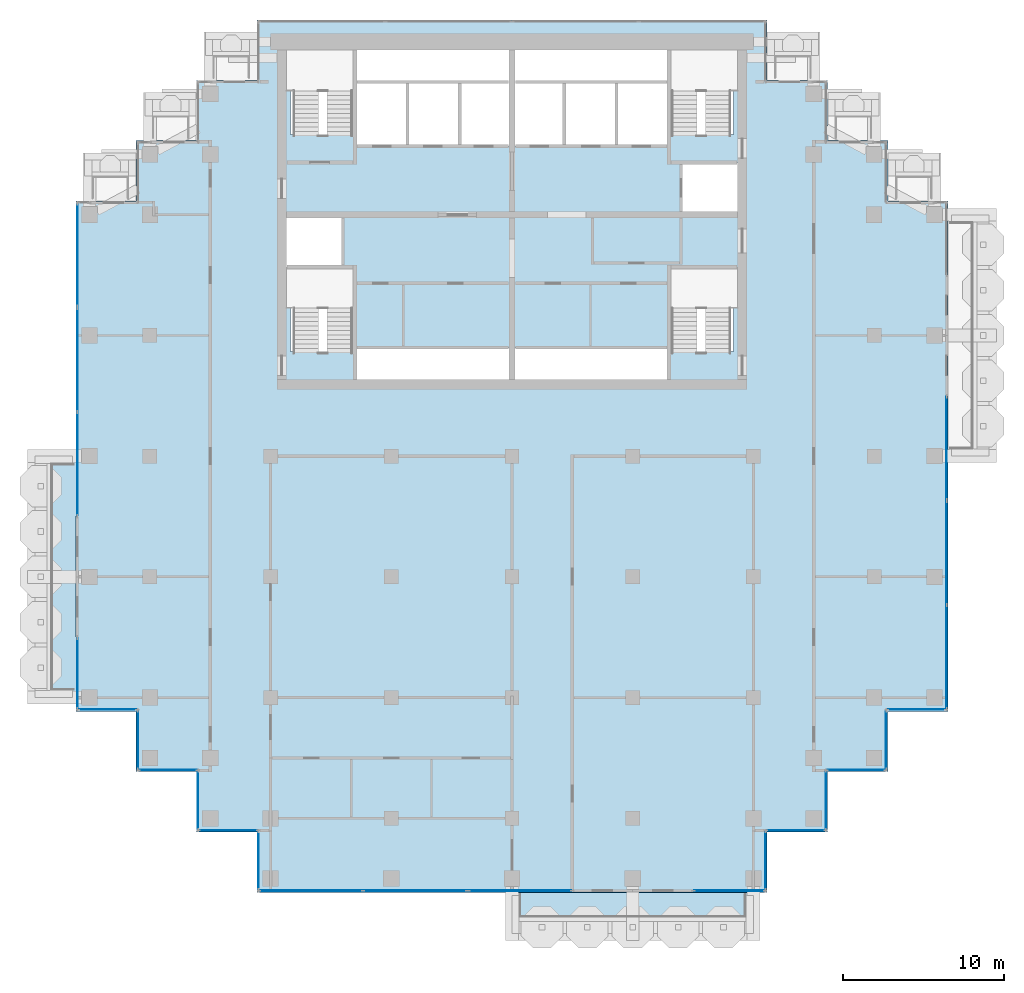
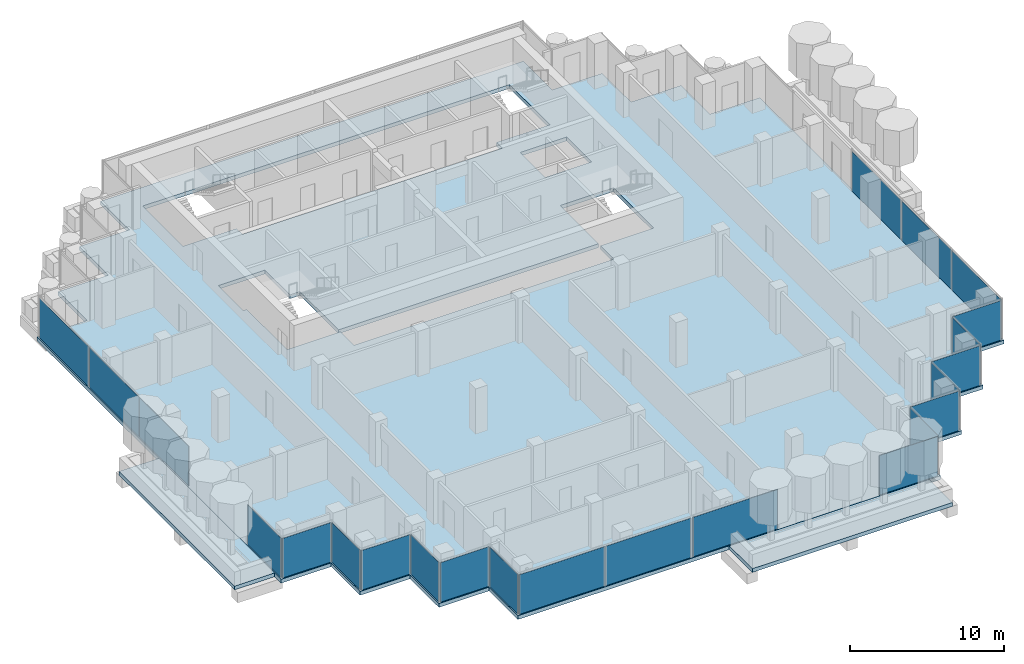
# One storey, part 8 of 18: 23 plates, 3 slabs, 20 elements without a shape of their own.
"""IFC4 building model written with IfcOpenShell, lengths in metres."""

from ifc_helpers import new_model, si_unit, direction, frame, origin, origin_2d, place, context, subcontext, project, spatial, polyline, rectangle, outline, extrude, material, layer, layer_set, type_object, element, aggregate, save


model = new_model("IFC4")

# Units and contexts
model_context = context("Model", 3, precision=1e-05, world=origin(), true_north=direction((0.0, 1.0)))
body_context = subcontext(model_context, "Body", "Model", "MODEL_VIEW")
ifc_project = project(units=[si_unit("LENGTHUNIT", "METRE"), si_unit("AREAUNIT", "SQUARE_METRE"), si_unit("VOLUMEUNIT", "CUBIC_METRE"), si_unit("PLANEANGLEUNIT", "RADIAN"), si_unit("MASSUNIT", "GRAM", prefix="KILO")], contexts=[model_context])

# Site, building, storey
site_placement = place(None, origin())
site = spatial("IfcSite", under=ifc_project, at=site_placement, CompositionType="ELEMENT")
building_placement = place(site_placement, origin())
building = spatial("IfcBuilding", under=site, at=building_placement, Name="Pilkhan Gate Tower", CompositionType="ELEMENT")
storey_placement = place(building_placement, frame((0.0, 0.0, 210.300048828125)))
storey = spatial("IfcBuildingStorey", under=building, at=storey_placement, Name="L54", CompositionType="ELEMENT", Elevation=210.300048828125)

# Slabs
ifc_material_1 = material(Name="Concrete C60/75", Category="concrete")
ifc_layer_1 = layer(ifc_material_1, 0.300048828125)
ifc_layer_set_1 = layer_set([ifc_layer_1], Name="Balcony tray slab TR300")
slab_type_1 = type_object("IfcSlabType", Name="Balcony tray slab TR300", PredefinedType="FLOOR", material=ifc_layer_set_1)
slab_1_placement = place(storey_placement, frame((0.0, 0.0, -0.300048828125)))
element("IfcSlab", 1, at=slab_1_placement, inside=storey, type_object=slab_type_1, Name="Balcony tray L54 S", PredefinedType="FLOOR", context=body_context, shape_type="SweptSolid", body=[
    extrude(outline(polyline([(90.0, 37.39990234375), (90.0, 40.39990234375), (75.0, 40.39990234375), (75.0, 37.39990234375), (90.0, 37.39990234375)])), origin(), (0.0, 0.0, 1.0), 0.300048828125),
])
slab_2_placement = place(storey_placement, frame((0.0, 0.0, -0.300048828125)))
element("IfcSlab", 2, at=slab_2_placement, inside=storey, type_object=slab_type_1, Name="Balcony tray L54 W", PredefinedType="FLOOR", context=body_context, shape_type="SweptSolid", body=[
    extrude(outline(polyline([(47.89990234375, 52.5), (47.89990234375, 67.5), (44.89990234375, 67.5), (44.89990234375, 52.5), (47.89990234375, 52.5)])), origin(), (0.0, 0.0, 1.0), 0.300048828125),
])
ifc_material_2 = material(Name="Concrete C40/50", Category="concrete")
ifc_layer_2 = layer(ifc_material_2, 0.300048828125)
ifc_layer_set_2 = layer_set([ifc_layer_2], Name="Flat plate slab FP300")
slab_type_2 = type_object("IfcSlabType", Name="Flat plate slab FP300", PredefinedType="FLOOR", material=ifc_layer_set_2)
slab_3_placement = place(storey_placement, frame((0.0, 0.0, -0.300048828125)))
element("IfcSlab", 3, at=slab_3_placement, inside=storey, type_object=slab_type_2, Name="Floor slab L54", PredefinedType="FLOOR", context=body_context, shape_type="SweptSolid", body=[
    extrude(outline(polyline([(98.35009765625, 47.89990234375), (94.60009765625, 47.89990234375), (94.60009765625, 44.14990234375), (90.85009765625, 44.14990234375), (90.85009765625, 40.39990234375), (59.14990234375, 40.39990234375), (59.14990234375, 44.14990234375), (55.39990234375, 44.14990234375), (55.39990234375, 47.89990234375), (51.64990234375, 47.89990234375), (51.64990234375, 51.64990234375), (47.89990234375, 51.64990234375), (47.89990234375, 83.35009765625), (51.64990234375, 83.35009765625), (51.64990234375, 87.10009765625), (55.39990234375, 87.10009765625), (55.39990234375, 90.85009765625), (59.14990234375, 90.85009765625), (59.14990234375, 94.60009765625), (90.85009765625, 94.60009765625), (90.85009765625, 90.85009765625), (94.60009765625, 90.85009765625), (94.60009765625, 87.10009765625), (98.35009765625, 87.10009765625), (98.35009765625, 83.35009765625), (102.10009765625, 83.35009765625), (102.10009765625, 51.64990234375), (98.35009765625, 51.64990234375), (98.35009765625, 47.89990234375)]), holes=[polyline([(75.0, 72.25), (84.75, 72.25), (84.75, 74.0), (88.75, 74.0), (88.75, 79.25), (84.75, 79.25), (84.75, 74.25), (75.0, 74.25), (65.25, 74.25), (65.25, 79.25), (64.5, 79.25), (64.5, 82.5), (61.25, 82.5), (61.0, 82.5), (61.0, 79.25), (61.25, 79.25), (61.25, 74.0), (65.25, 74.0), (65.25, 72.25), (75.0, 72.25)]), polyline([(68.5, 86.75), (71.75, 86.75), (75.0, 86.75), (78.25, 86.75), (81.5, 86.75), (84.75, 86.75), (84.75, 87.5), (88.75, 87.5), (88.75, 92.75), (84.75, 92.75), (75.0, 92.75), (65.25, 92.75), (61.25, 92.75), (61.25, 87.5), (65.25, 87.5), (65.25, 86.75), (68.5, 86.75)]), polyline([(85.5, 85.75), (85.5, 82.5), (88.75, 82.5), (89.0, 82.5), (89.0, 85.75), (88.75, 85.75), (85.5, 85.75)])]), origin(), (0.0, 0.0, 1.0), 0.300048828125),
])

# Curtain wall, plates
ifc_material_3 = material(Name="Pale anodised aluminium, clear low-iron double glazing", Category="aluminium")
curtain_wall_type = type_object("IfcCurtainWallType", Name="Office unitised curtain wall CW-O2", PredefinedType="USERDEFINED", material=ifc_material_3)
curtain_wall_1_placement = place(storey_placement, origin())
curtain_wall_1 = element("IfcCurtainWall", 4, at=curtain_wall_1_placement, inside=storey, type_object=curtain_wall_type, Name="Office unitised curtain wall CW-O2 L54 E", ObjectType="UNITISED CURTAIN WALL", PredefinedType="USERDEFINED")
ifc_material_4 = material(Name="Clear low-iron double glazing", Category="glass")
ifc_layer_3 = layer(ifc_material_4, 0.031982421875)
ifc_layer_set_3 = layer_set([ifc_layer_3], Name="Glass panel CW-O2 32")
plate_type = type_object("IfcPlateType", Name="Glass panel CW-O2 32", PredefinedType="CURTAIN_PANEL", material=ifc_layer_set_3)
plate_1_placement = place(storey_placement, frame((102.0, 55.016357421875, 0.0), z_axis=(0.0, 0.0, 1.0), x_axis=(0.0, 1.0, 0.0)))
plate_1 = element("IfcPlate", 5, at=plate_1_placement, type_object=plate_type, Name="CW-O2 panel 1", PredefinedType="CURTAIN_PANEL", context=body_context, shape_type="SweptSolid", body=[
    extrude(rectangle(XDim=6.402587890625, YDim=0.031982421875, at=origin_2d()), origin(), (0.0, 0.0, 1.0), 3.135009765625),
])
plate_2_placement = place(storey_placement, frame((102.0, 61.483642578125, 0.0), z_axis=(0.0, 0.0, 1.0), x_axis=(0.0, 1.0, 0.0)))
plate_2 = element("IfcPlate", 6, at=plate_2_placement, type_object=plate_type, Name="CW-O2 panel 2", PredefinedType="CURTAIN_PANEL", context=body_context, shape_type="SweptSolid", body=[
    extrude(rectangle(XDim=6.402587890625, YDim=0.031982421875, at=origin_2d()), origin(), (0.0, 0.0, 1.0), 3.135009765625),
])
aggregate(curtain_wall_1, [plate_1, plate_2])

# Curtain wall, plate
curtain_wall_2_placement = place(storey_placement, origin())
curtain_wall_2 = element("IfcCurtainWall", 7, at=curtain_wall_2_placement, inside=storey, type_object=curtain_wall_type, Name="Office unitised curtain wall CW-O2 L54 E", ObjectType="UNITISED CURTAIN WALL", PredefinedType="USERDEFINED")
plate_3_placement = place(storey_placement, frame((102.0, 68.0, 0.0), z_axis=(0.0, 0.0, 1.0), x_axis=(0.0, 1.0, 0.0)))
plate_3 = element("IfcPlate", 8, at=plate_3_placement, type_object=plate_type, Name="CW-O2 panel 1", PredefinedType="CURTAIN_PANEL", context=body_context, shape_type="SweptSolid", body=[
    extrude(rectangle(XDim=6.3701171875, YDim=0.031982421875, at=origin_2d()), origin(), (0.0, 0.0, 1.0), 3.135009765625),
])
aggregate(curtain_wall_2, [plate_3])

curtain_wall_3_placement = place(storey_placement, origin())
curtain_wall_3 = element("IfcCurtainWall", 9, at=curtain_wall_3_placement, inside=storey, type_object=curtain_wall_type, Name="Office unitised curtain wall CW-O2 L54 W", ObjectType="UNITISED CURTAIN WALL", PredefinedType="USERDEFINED")
plate_4_placement = place(storey_placement, frame((48.0, 54.0, 0.0), z_axis=(0.0, 0.0, 1.0), x_axis=(0.0, 1.0, 0.0)))
plate_4 = element("IfcPlate", 10, at=plate_4_placement, type_object=plate_type, Name="CW-O2 panel 1", PredefinedType="CURTAIN_PANEL", context=body_context, shape_type="SweptSolid", body=[
    extrude(rectangle(XDim=4.3701171875, YDim=0.031982421875, at=origin_2d()), origin(), (0.0, 0.0, 1.0), 3.135009765625),
])
aggregate(curtain_wall_3, [plate_4])

# Curtain wall, plates
curtain_wall_4_placement = place(storey_placement, origin())
curtain_wall_4 = element("IfcCurtainWall", 11, at=curtain_wall_4_placement, inside=storey, type_object=curtain_wall_type, Name="Office unitised curtain wall CW-O2 L54 W", ObjectType="UNITISED CURTAIN WALL", PredefinedType="USERDEFINED")
plate_5_placement = place(storey_placement, frame((48.0, 67.016357421875, 0.0), z_axis=(0.0, 0.0, 1.0), x_axis=(0.0, 1.0, 0.0)))
plate_5 = element("IfcPlate", 12, at=plate_5_placement, type_object=plate_type, Name="CW-O2 panel 1", PredefinedType="CURTAIN_PANEL", context=body_context, shape_type="SweptSolid", body=[
    extrude(rectangle(XDim=6.402587890625, YDim=0.031982421875, at=origin_2d()), origin(), (0.0, 0.0, 1.0), 3.135009765625),
])
plate_6_placement = place(storey_placement, frame((48.0, 73.483642578125, 0.0), z_axis=(0.0, 0.0, 1.0), x_axis=(0.0, 1.0, 0.0)))
plate_6 = element("IfcPlate", 13, at=plate_6_placement, type_object=plate_type, Name="CW-O2 panel 2", PredefinedType="CURTAIN_PANEL", context=body_context, shape_type="SweptSolid", body=[
    extrude(rectangle(XDim=6.402587890625, YDim=0.031982421875, at=origin_2d()), origin(), (0.0, 0.0, 1.0), 3.135009765625),
])
aggregate(curtain_wall_4, [plate_5, plate_6])

# Curtain wall, plate
curtain_wall_5_placement = place(storey_placement, origin())
curtain_wall_5 = element("IfcCurtainWall", 14, at=curtain_wall_5_placement, inside=storey, type_object=curtain_wall_type, Name="Office unitised curtain wall CW-O2 L54 W", ObjectType="UNITISED CURTAIN WALL", PredefinedType="USERDEFINED")
plate_7_placement = place(storey_placement, frame((48.0, 80.0, 0.0), z_axis=(0.0, 0.0, 1.0), x_axis=(0.0, 1.0, 0.0)))
plate_7 = element("IfcPlate", 15, at=plate_7_placement, type_object=plate_type, Name="CW-O2 panel 1", PredefinedType="CURTAIN_PANEL", context=body_context, shape_type="SweptSolid", body=[
    extrude(rectangle(XDim=6.3701171875, YDim=0.031982421875, at=origin_2d()), origin(), (0.0, 0.0, 1.0), 3.135009765625),
])
aggregate(curtain_wall_5, [plate_7])

curtain_wall_6_placement = place(storey_placement, origin())
curtain_wall_6 = element("IfcCurtainWall", 16, at=curtain_wall_6_placement, inside=storey, type_object=curtain_wall_type, Name="Office unitised curtain wall CW-O2 L54 S", ObjectType="UNITISED CURTAIN WALL", PredefinedType="USERDEFINED")
plate_8_placement = place(storey_placement, frame((49.875, 51.75, 0.0), z_axis=(0.0, 0.0, 1.0), x_axis=(1.0, 0.0, 0.0)))
plate_8 = element("IfcPlate", 17, at=plate_8_placement, type_object=plate_type, Name="CW-O2 panel 1", PredefinedType="CURTAIN_PANEL", context=body_context, shape_type="SweptSolid", body=[
    extrude(rectangle(XDim=3.6201171875, YDim=0.031982421875, at=origin_2d()), origin(), (0.0, 0.0, 1.0), 3.135009765625),
])
aggregate(curtain_wall_6, [plate_8])

curtain_wall_7_placement = place(storey_placement, origin())
curtain_wall_7 = element("IfcCurtainWall", 18, at=curtain_wall_7_placement, inside=storey, type_object=curtain_wall_type, Name="Office unitised curtain wall CW-O2 L54 W", ObjectType="UNITISED CURTAIN WALL", PredefinedType="USERDEFINED")
plate_9_placement = place(storey_placement, frame((51.75, 49.875, 0.0), z_axis=(0.0, 0.0, 1.0), x_axis=(0.0, 1.0, 0.0)))
plate_9 = element("IfcPlate", 19, at=plate_9_placement, type_object=plate_type, Name="CW-O2 panel 1", PredefinedType="CURTAIN_PANEL", context=body_context, shape_type="SweptSolid", body=[
    extrude(rectangle(XDim=3.6201171875, YDim=0.031982421875, at=origin_2d()), origin(), (0.0, 0.0, 1.0), 3.135009765625),
])
aggregate(curtain_wall_7, [plate_9])

curtain_wall_8_placement = place(storey_placement, origin())
curtain_wall_8 = element("IfcCurtainWall", 20, at=curtain_wall_8_placement, inside=storey, type_object=curtain_wall_type, Name="Office unitised curtain wall CW-O2 L54 S", ObjectType="UNITISED CURTAIN WALL", PredefinedType="USERDEFINED")
plate_10_placement = place(storey_placement, frame((53.625, 48.0, 0.0), z_axis=(0.0, 0.0, 1.0), x_axis=(1.0, 0.0, 0.0)))
plate_10 = element("IfcPlate", 21, at=plate_10_placement, type_object=plate_type, Name="CW-O2 panel 1", PredefinedType="CURTAIN_PANEL", context=body_context, shape_type="SweptSolid", body=[
    extrude(rectangle(XDim=3.6201171875, YDim=0.031982421875, at=origin_2d()), origin(), (0.0, 0.0, 1.0), 3.135009765625),
])
aggregate(curtain_wall_8, [plate_10])

curtain_wall_9_placement = place(storey_placement, origin())
curtain_wall_9 = element("IfcCurtainWall", 22, at=curtain_wall_9_placement, inside=storey, type_object=curtain_wall_type, Name="Office unitised curtain wall CW-O2 L54 W", ObjectType="UNITISED CURTAIN WALL", PredefinedType="USERDEFINED")
plate_11_placement = place(storey_placement, frame((55.5, 46.125, 0.0), z_axis=(0.0, 0.0, 1.0), x_axis=(0.0, 1.0, 0.0)))
plate_11 = element("IfcPlate", 23, at=plate_11_placement, type_object=plate_type, Name="CW-O2 panel 1", PredefinedType="CURTAIN_PANEL", context=body_context, shape_type="SweptSolid", body=[
    extrude(rectangle(XDim=3.6201171875, YDim=0.031982421875, at=origin_2d()), origin(), (0.0, 0.0, 1.0), 3.135009765625),
])
aggregate(curtain_wall_9, [plate_11])

curtain_wall_10_placement = place(storey_placement, origin())
curtain_wall_10 = element("IfcCurtainWall", 24, at=curtain_wall_10_placement, inside=storey, type_object=curtain_wall_type, Name="Office unitised curtain wall CW-O2 L54 S", ObjectType="UNITISED CURTAIN WALL", PredefinedType="USERDEFINED")
plate_12_placement = place(storey_placement, frame((57.375, 44.25, 0.0), z_axis=(0.0, 0.0, 1.0), x_axis=(1.0, 0.0, 0.0)))
plate_12 = element("IfcPlate", 25, at=plate_12_placement, type_object=plate_type, Name="CW-O2 panel 1", PredefinedType="CURTAIN_PANEL", context=body_context, shape_type="SweptSolid", body=[
    extrude(rectangle(XDim=3.6201171875, YDim=0.031982421875, at=origin_2d()), origin(), (0.0, 0.0, 1.0), 3.135009765625),
])
aggregate(curtain_wall_10, [plate_12])

curtain_wall_11_placement = place(storey_placement, origin())
curtain_wall_11 = element("IfcCurtainWall", 26, at=curtain_wall_11_placement, inside=storey, type_object=curtain_wall_type, Name="Office unitised curtain wall CW-O2 L54 W", ObjectType="UNITISED CURTAIN WALL", PredefinedType="USERDEFINED")
plate_13_placement = place(storey_placement, frame((59.25, 42.375, 0.0), z_axis=(0.0, 0.0, 1.0), x_axis=(0.0, 1.0, 0.0)))
plate_13 = element("IfcPlate", 27, at=plate_13_placement, type_object=plate_type, Name="CW-O2 panel 1", PredefinedType="CURTAIN_PANEL", context=body_context, shape_type="SweptSolid", body=[
    extrude(rectangle(XDim=3.6201171875, YDim=0.031982421875, at=origin_2d()), origin(), (0.0, 0.0, 1.0), 3.135009765625),
])
aggregate(curtain_wall_11, [plate_13])

# Curtain wall, plates
curtain_wall_12_placement = place(storey_placement, origin())
curtain_wall_12 = element("IfcCurtainWall", 28, at=curtain_wall_12_placement, inside=storey, type_object=curtain_wall_type, Name="Office unitised curtain wall CW-O2 L54 S", ObjectType="UNITISED CURTAIN WALL", PredefinedType="USERDEFINED")
plate_14_placement = place(storey_placement, frame((62.516357421875, 40.5, 0.0), z_axis=(0.0, 0.0, 1.0), x_axis=(1.0, 0.0, 0.0)))
plate_14 = element("IfcPlate", 29, at=plate_14_placement, type_object=plate_type, Name="CW-O2 panel 1", PredefinedType="CURTAIN_PANEL", context=body_context, shape_type="SweptSolid", body=[
    extrude(rectangle(XDim=6.402587890625, YDim=0.031982421875, at=origin_2d()), origin(), (0.0, 0.0, 1.0), 3.135009765625),
])
plate_15_placement = place(storey_placement, frame((68.983642578125, 40.5, 0.0), z_axis=(0.0, 0.0, 1.0), x_axis=(1.0, 0.0, 0.0)))
plate_15 = element("IfcPlate", 30, at=plate_15_placement, type_object=plate_type, Name="CW-O2 panel 2", PredefinedType="CURTAIN_PANEL", context=body_context, shape_type="SweptSolid", body=[
    extrude(rectangle(XDim=6.402587890625, YDim=0.031982421875, at=origin_2d()), origin(), (0.0, 0.0, 1.0), 3.135009765625),
])
aggregate(curtain_wall_12, [plate_14, plate_15])

# Curtain wall, plate
curtain_wall_13_placement = place(storey_placement, origin())
curtain_wall_13 = element("IfcCurtainWall", 31, at=curtain_wall_13_placement, inside=storey, type_object=curtain_wall_type, Name="Office unitised curtain wall CW-O2 L54 S", ObjectType="UNITISED CURTAIN WALL", PredefinedType="USERDEFINED")
plate_16_placement = place(storey_placement, frame((75.5, 40.5, 0.0), z_axis=(0.0, 0.0, 1.0), x_axis=(1.0, 0.0, 0.0)))
plate_16 = element("IfcPlate", 32, at=plate_16_placement, type_object=plate_type, Name="CW-O2 panel 1", PredefinedType="CURTAIN_PANEL", context=body_context, shape_type="SweptSolid", body=[
    extrude(rectangle(XDim=6.3701171875, YDim=0.031982421875, at=origin_2d()), origin(), (0.0, 0.0, 1.0), 3.135009765625),
])
aggregate(curtain_wall_13, [plate_16])

curtain_wall_14_placement = place(storey_placement, origin())
curtain_wall_14 = element("IfcCurtainWall", 33, at=curtain_wall_14_placement, inside=storey, type_object=curtain_wall_type, Name="Office unitised curtain wall CW-O2 L54 S", ObjectType="UNITISED CURTAIN WALL", PredefinedType="USERDEFINED")
plate_17_placement = place(storey_placement, frame((88.5, 40.5, 0.0), z_axis=(0.0, 0.0, 1.0), x_axis=(1.0, 0.0, 0.0)))
plate_17 = element("IfcPlate", 34, at=plate_17_placement, type_object=plate_type, Name="CW-O2 panel 1", PredefinedType="CURTAIN_PANEL", context=body_context, shape_type="SweptSolid", body=[
    extrude(rectangle(XDim=4.3701171875, YDim=0.031982421875, at=origin_2d()), origin(), (0.0, 0.0, 1.0), 3.135009765625),
])
aggregate(curtain_wall_14, [plate_17])

curtain_wall_15_placement = place(storey_placement, origin())
curtain_wall_15 = element("IfcCurtainWall", 35, at=curtain_wall_15_placement, inside=storey, type_object=curtain_wall_type, Name="Office unitised curtain wall CW-O2 L54 E", ObjectType="UNITISED CURTAIN WALL", PredefinedType="USERDEFINED")
plate_18_placement = place(storey_placement, frame((90.75, 42.375, 0.0), z_axis=(0.0, 0.0, 1.0), x_axis=(0.0, 1.0, 0.0)))
plate_18 = element("IfcPlate", 36, at=plate_18_placement, type_object=plate_type, Name="CW-O2 panel 1", PredefinedType="CURTAIN_PANEL", context=body_context, shape_type="SweptSolid", body=[
    extrude(rectangle(XDim=3.6201171875, YDim=0.031982421875, at=origin_2d()), origin(), (0.0, 0.0, 1.0), 3.135009765625),
])
aggregate(curtain_wall_15, [plate_18])

curtain_wall_16_placement = place(storey_placement, origin())
curtain_wall_16 = element("IfcCurtainWall", 37, at=curtain_wall_16_placement, inside=storey, type_object=curtain_wall_type, Name="Office unitised curtain wall CW-O2 L54 S", ObjectType="UNITISED CURTAIN WALL", PredefinedType="USERDEFINED")
plate_19_placement = place(storey_placement, frame((92.625, 44.25, 0.0), z_axis=(0.0, 0.0, 1.0), x_axis=(1.0, 0.0, 0.0)))
plate_19 = element("IfcPlate", 38, at=plate_19_placement, type_object=plate_type, Name="CW-O2 panel 1", PredefinedType="CURTAIN_PANEL", context=body_context, shape_type="SweptSolid", body=[
    extrude(rectangle(XDim=3.6201171875, YDim=0.031982421875, at=origin_2d()), origin(), (0.0, 0.0, 1.0), 3.135009765625),
])
aggregate(curtain_wall_16, [plate_19])

curtain_wall_17_placement = place(storey_placement, origin())
curtain_wall_17 = element("IfcCurtainWall", 39, at=curtain_wall_17_placement, inside=storey, type_object=curtain_wall_type, Name="Office unitised curtain wall CW-O2 L54 E", ObjectType="UNITISED CURTAIN WALL", PredefinedType="USERDEFINED")
plate_20_placement = place(storey_placement, frame((94.5, 46.125, 0.0), z_axis=(0.0, 0.0, 1.0), x_axis=(0.0, 1.0, 0.0)))
plate_20 = element("IfcPlate", 40, at=plate_20_placement, type_object=plate_type, Name="CW-O2 panel 1", PredefinedType="CURTAIN_PANEL", context=body_context, shape_type="SweptSolid", body=[
    extrude(rectangle(XDim=3.6201171875, YDim=0.031982421875, at=origin_2d()), origin(), (0.0, 0.0, 1.0), 3.135009765625),
])
aggregate(curtain_wall_17, [plate_20])

curtain_wall_18_placement = place(storey_placement, origin())
curtain_wall_18 = element("IfcCurtainWall", 41, at=curtain_wall_18_placement, inside=storey, type_object=curtain_wall_type, Name="Office unitised curtain wall CW-O2 L54 S", ObjectType="UNITISED CURTAIN WALL", PredefinedType="USERDEFINED")
plate_21_placement = place(storey_placement, frame((96.375, 48.0, 0.0), z_axis=(0.0, 0.0, 1.0), x_axis=(1.0, 0.0, 0.0)))
plate_21 = element("IfcPlate", 42, at=plate_21_placement, type_object=plate_type, Name="CW-O2 panel 1", PredefinedType="CURTAIN_PANEL", context=body_context, shape_type="SweptSolid", body=[
    extrude(rectangle(XDim=3.6201171875, YDim=0.031982421875, at=origin_2d()), origin(), (0.0, 0.0, 1.0), 3.135009765625),
])
aggregate(curtain_wall_18, [plate_21])

curtain_wall_19_placement = place(storey_placement, origin())
curtain_wall_19 = element("IfcCurtainWall", 43, at=curtain_wall_19_placement, inside=storey, type_object=curtain_wall_type, Name="Office unitised curtain wall CW-O2 L54 E", ObjectType="UNITISED CURTAIN WALL", PredefinedType="USERDEFINED")
plate_22_placement = place(storey_placement, frame((98.25, 49.875, 0.0), z_axis=(0.0, 0.0, 1.0), x_axis=(0.0, 1.0, 0.0)))
plate_22 = element("IfcPlate", 44, at=plate_22_placement, type_object=plate_type, Name="CW-O2 panel 1", PredefinedType="CURTAIN_PANEL", context=body_context, shape_type="SweptSolid", body=[
    extrude(rectangle(XDim=3.6201171875, YDim=0.031982421875, at=origin_2d()), origin(), (0.0, 0.0, 1.0), 3.135009765625),
])
aggregate(curtain_wall_19, [plate_22])

curtain_wall_20_placement = place(storey_placement, origin())
curtain_wall_20 = element("IfcCurtainWall", 45, at=curtain_wall_20_placement, inside=storey, type_object=curtain_wall_type, Name="Office unitised curtain wall CW-O2 L54 S", ObjectType="UNITISED CURTAIN WALL", PredefinedType="USERDEFINED")
plate_23_placement = place(storey_placement, frame((100.125, 51.75, 0.0), z_axis=(0.0, 0.0, 1.0), x_axis=(1.0, 0.0, 0.0)))
plate_23 = element("IfcPlate", 46, at=plate_23_placement, type_object=plate_type, Name="CW-O2 panel 1", PredefinedType="CURTAIN_PANEL", context=body_context, shape_type="SweptSolid", body=[
    extrude(rectangle(XDim=3.6201171875, YDim=0.031982421875, at=origin_2d()), origin(), (0.0, 0.0, 1.0), 3.135009765625),
])
aggregate(curtain_wall_20, [plate_23])

save(model, "model.ifc")
